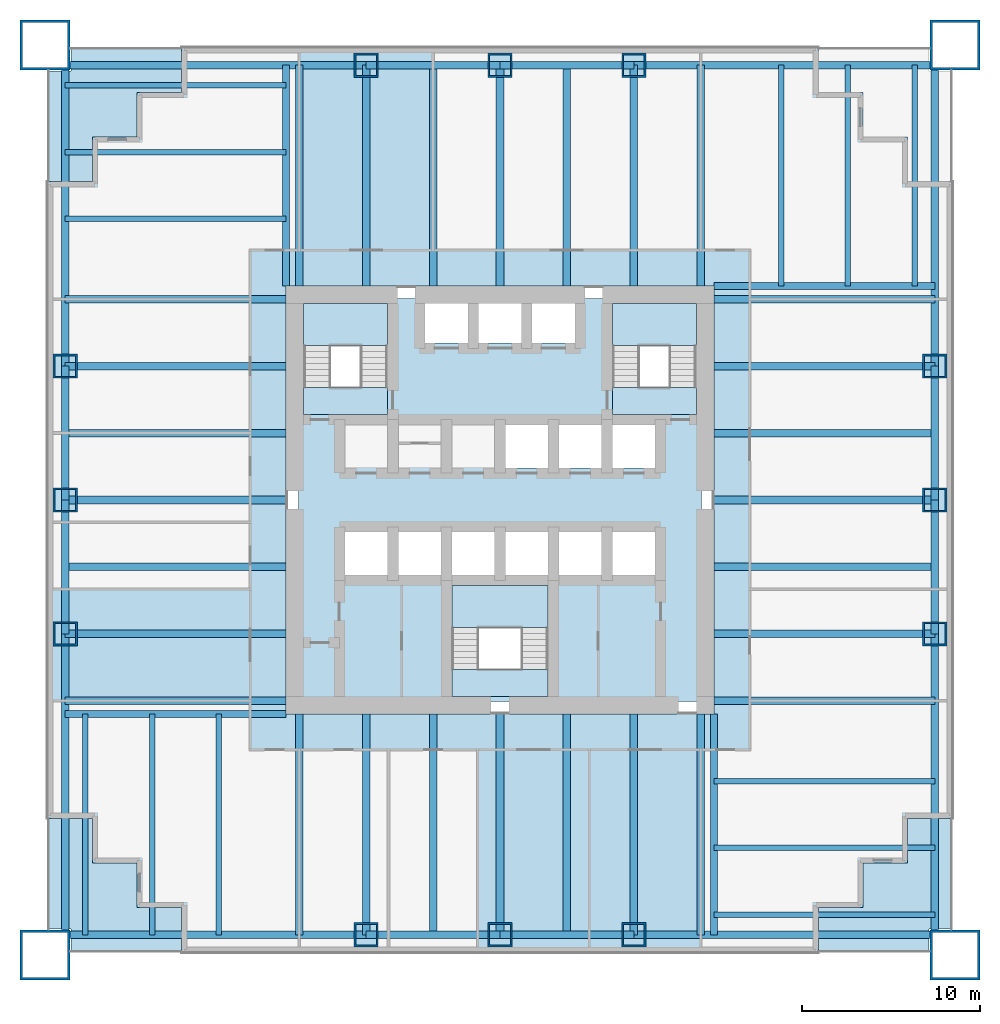
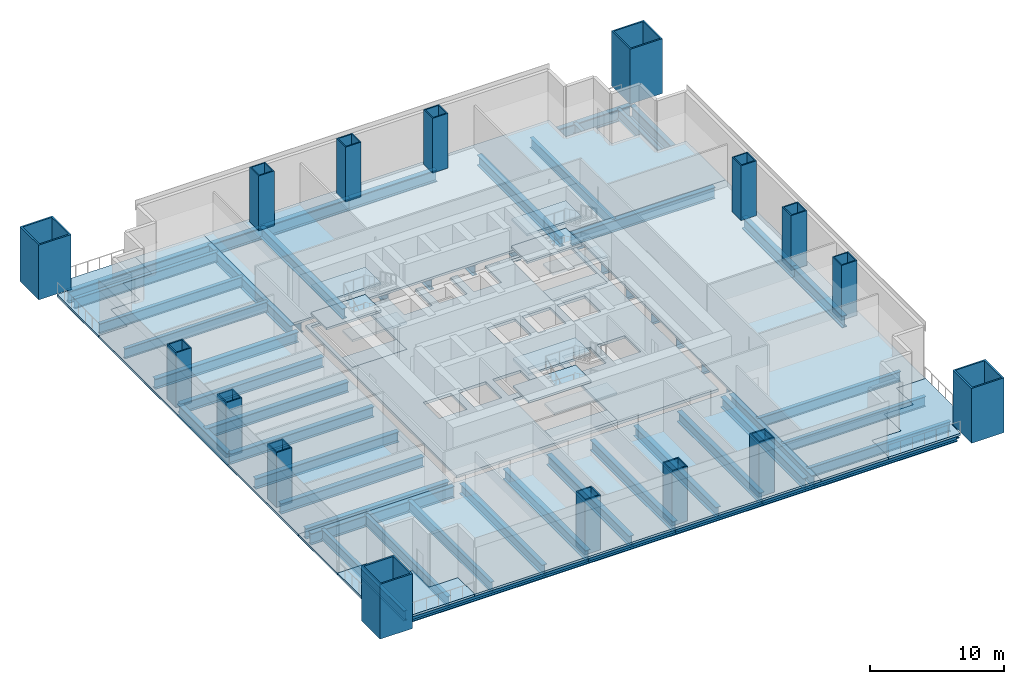
# One storey, part 1 of 6: 60 beams, 20 slabs, 16 columns, 3 elements without a shape of their own.
"""IFC4 building model written with IfcOpenShell, lengths in metres."""

from ifc_helpers import new_model, si_unit, direction, frame, origin, origin_2d, place, context, subcontext, project, spatial, polyline, hollow_rectangle, i_section, outline, extrude, material, layer, layer_set, material_profile, profile_set, type_object, element, aggregate, save


model = new_model("IFC4")

# Units and contexts
model_context = context("Model", 3, precision=1e-05, world=origin(), true_north=direction((0.0, 1.0)))
body_context = subcontext(model_context, "Body", "Model", "MODEL_VIEW")
ifc_project = project(units=[si_unit("LENGTHUNIT", "METRE"), si_unit("AREAUNIT", "SQUARE_METRE"), si_unit("VOLUMEUNIT", "CUBIC_METRE"), si_unit("PLANEANGLEUNIT", "RADIAN"), si_unit("MASSUNIT", "GRAM", prefix="KILO")], contexts=[model_context])

# Site, building, storey
site_placement = place(None, origin())
site = spatial("IfcSite", under=ifc_project, at=site_placement, CompositionType="ELEMENT")
building_placement = place(site_placement, origin())
building = spatial("IfcBuilding", under=site, at=building_placement, Name="Tarangal Relay Tower", CompositionType="ELEMENT")
storey_placement = place(building_placement, frame((0.0, 0.0, 93.39990234375)))
storey = spatial("IfcBuildingStorey", under=building, at=storey_placement, Name="L18", CompositionType="ELEMENT", Elevation=93.39990234375)

# Columns
ifc_material_1 = material(Name="Steel ASTM A572 Grade 42", Category="steel")
ifc_material_profile_1 = material_profile(ifc_material_1, hollow_rectangle(XDim=2.800048828125, YDim=2.800048828125, WallThickness=0.139892578125, at=origin_2d()), Name="BOX2800X2800X140")
ifc_profile_set_1 = profile_set([ifc_material_profile_1], Name="Steel ASTM A572 Grade 42")
column_type_1 = type_object("IfcColumnType", Name="Mega column BOX2800X2800X140", PredefinedType="COLUMN", material=ifc_profile_set_1)
for number, where, z_axis, x_axis, name in (
    (1, (25.5, 25.5, 0.0), (0.0, 0.0, 1.0), (1.0, 0.0, 0.0), "Mega column MC1 NE L18"),
    (2, (25.5, -25.5, 0.0), (0.0, 0.0, 1.0), (1.0, 0.0, 0.0), "Mega column MC1 SE L18"),
    (3, (-25.5, -25.5, 0.0), (0.0, 0.0, 1.0), (1.0, 0.0, 0.0), "Mega column MC1 SW L18"),
    (4, (-25.5, 25.5, 0.0), (0.0, 0.0, 1.0), (1.0, 0.0, 0.0), "Mega column MC1 NW L18"),
):
    element("IfcColumn", number, at=place(storey_placement, frame(where, z_axis=z_axis, x_axis=x_axis)), inside=storey, type_object=column_type_1, Name=name, PredefinedType="COLUMN", context=body_context, shape_type="SweptSolid", body=[
        extrude(hollow_rectangle(XDim=2.800048828125, YDim=2.800048828125, WallThickness=0.139892578125, at=origin_2d()), origin(), (0.0, 0.0, 1.0), 5.0),
    ])
ifc_material_2 = material(Name="Steel ASTM A572 Grade 50", Category="steel")
ifc_material_profile_2 = material_profile(ifc_material_2, hollow_rectangle(XDim=1.35009765625, YDim=1.35009765625, WallThickness=0.10009765625, at=origin_2d()), Name="BOX1350X1350X100")
ifc_profile_set_2 = profile_set([ifc_material_profile_2], Name="Steel ASTM A572 Grade 50")
column_type_2 = type_object("IfcColumnType", Name="Perimeter column BOX1350X1350X100", PredefinedType="COLUMN", material=ifc_profile_set_2)
for number, where, z_axis, x_axis, name in (
    (5, (-7.5, 24.364990234375, 0.0), (0.0, 0.0, 1.0), (1.0, 0.0, 0.0), "Perimeter column PC1 N L18"),
    (6, (0.0, 24.364990234375, 0.0), (0.0, 0.0, 1.0), (1.0, 0.0, 0.0), "Perimeter column PC1 N L18"),
    (7, (7.5, 24.364990234375, 0.0), (0.0, 0.0, 1.0), (1.0, 0.0, 0.0), "Perimeter column PC1 N L18"),
    (8, (24.364990234375, 7.5, 0.0), (0.0, 0.0, 1.0), (1.0, 0.0, 0.0), "Perimeter column PC1 E L18"),
    (9, (24.364990234375, 0.0, 0.0), (0.0, 0.0, 1.0), (1.0, 0.0, 0.0), "Perimeter column PC1 E L18"),
    (10, (24.364990234375, -7.5, 0.0), (0.0, 0.0, 1.0), (1.0, 0.0, 0.0), "Perimeter column PC1 E L18"),
    (11, (7.5, -24.364990234375, 0.0), (0.0, 0.0, 1.0), (1.0, 0.0, 0.0), "Perimeter column PC1 S L18"),
    (12, (0.0, -24.364990234375, 0.0), (0.0, 0.0, 1.0), (1.0, 0.0, 0.0), "Perimeter column PC1 S L18"),
    (13, (-7.5, -24.364990234375, 0.0), (0.0, 0.0, 1.0), (1.0, 0.0, 0.0), "Perimeter column PC1 S L18"),
    (14, (-24.364990234375, -7.5, 0.0), (0.0, 0.0, 1.0), (1.0, 0.0, 0.0), "Perimeter column PC1 W L18"),
    (15, (-24.364990234375, 0.0, 0.0), (0.0, 0.0, 1.0), (1.0, 0.0, 0.0), "Perimeter column PC1 W L18"),
    (16, (-24.364990234375, 7.5, 0.0), (0.0, 0.0, 1.0), (1.0, 0.0, 0.0), "Perimeter column PC1 W L18"),
):
    element("IfcColumn", number, at=place(storey_placement, frame(where, z_axis=z_axis, x_axis=x_axis)), inside=storey, type_object=column_type_2, Name=name, PredefinedType="COLUMN", context=body_context, shape_type="SweptSolid", body=[
        extrude(hollow_rectangle(XDim=1.35009765625, YDim=1.35009765625, WallThickness=0.10009765625, at=origin_2d()), origin(), (0.0, 0.0, 1.0), 5.0),
    ])

# Beams
ifc_material_3 = material(Name="Steel ASTM A992", Category="steel")
ifc_material_profile_3 = material_profile(ifc_material_3, i_section(OverallWidth=0.307373046875, OverallDepth=0.927001953125, WebThickness=0.019287109375, FlangeThickness=0.031982421875, at=origin_2d()), Name="W36X194")
ifc_profile_set_3 = profile_set([ifc_material_profile_3], Name="Steel ASTM A992")
beam_type_1 = type_object("IfcBeamType", Name="Corner beam W36X194", PredefinedType="JOIST", material=ifc_profile_set_3)
for number, where, z_axis, x_axis, name in (
    (17, (15.75, 12.0, -0.663330078125), (0.0, 1.0, 0.0), (-1.0, 0.0, 0.0), "Corner beam CB10 N L18"),
    (18, (19.5, 12.0, -0.663330078125), (0.0, 1.0, 0.0), (-1.0, 0.0, 0.0), "Corner beam CB10 N L18"),
    (19, (23.25, 12.0, -0.663330078125), (0.0, 1.0, 0.0), (-1.0, 0.0, 0.0), "Corner beam CB10 N L18"),
    (20, (12.0, -15.75, -0.663330078125), (1.0, 0.0, 0.0), (0.0, 1.0, 0.0), "Corner beam CB10 E L18"),
    (21, (12.0, -19.5, -0.663330078125), (1.0, 0.0, 0.0), (0.0, 1.0, 0.0), "Corner beam CB10 E L18"),
    (22, (12.0, -23.25, -0.663330078125), (1.0, 0.0, 0.0), (0.0, 1.0, 0.0), "Corner beam CB10 E L18"),
    (23, (-15.75, -12.0, -0.663330078125), (0.0, -1.0, 0.0), (1.0, 0.0, 0.0), "Corner beam CB10 S L18"),
    (24, (-19.5, -12.0, -0.663330078125), (0.0, -1.0, 0.0), (1.0, 0.0, 0.0), "Corner beam CB10 S L18"),
    (25, (-23.25, -12.0, -0.663330078125), (0.0, -1.0, 0.0), (1.0, 0.0, 0.0), "Corner beam CB10 S L18"),
    (26, (-12.0, 15.75, -0.663330078125), (-1.0, 0.0, 0.0), (0.0, -1.0, 0.0), "Corner beam CB10 W L18"),
    (27, (-12.0, 19.5, -0.663330078125), (-1.0, 0.0, 0.0), (0.0, -1.0, 0.0), "Corner beam CB10 W L18"),
    (28, (-12.0, 23.25, -0.663330078125), (-1.0, 0.0, 0.0), (0.0, -1.0, 0.0), "Corner beam CB10 W L18"),
):
    element("IfcBeam", number, at=place(storey_placement, frame(where, z_axis=z_axis, x_axis=x_axis)), inside=storey, type_object=beam_type_1, Name=name, PredefinedType="JOIST", context=body_context, shape_type="SweptSolid", body=[
        extrude(i_section(OverallWidth=0.307373046875, OverallDepth=0.927001953125, WebThickness=0.019287109375, FlangeThickness=0.031982421875, at=origin_2d()), origin(), (0.0, 0.0, 1.0), 12.364990234375),
    ])
ifc_material_profile_4 = material_profile(ifc_material_3, i_section(OverallWidth=0.40380859375, OverallDepth=1.036376953125, WebThickness=0.031005859375, FlangeThickness=0.0458984375, at=origin_2d()), Name="W40X331")
ifc_profile_set_4 = profile_set([ifc_material_profile_4], Name="Steel ASTM A992")
beam_type_2 = type_object("IfcBeamType", Name="Corner girder W40X331", PredefinedType="BEAM", material=ifc_profile_set_4)
for number, where, z_axis, x_axis, name in (
    (29, (12.0, 12.0, -0.718017578125), (1.0, 0.0, 0.0), (0.0, 1.0, 0.0), "Corner girder CG2 N L18"),
    (30, (12.0, -12.0, -0.718017578125), (0.0, -1.0, 0.0), (1.0, 0.0, 0.0), "Corner girder CG2 E L18"),
    (31, (-12.0, -12.0, -0.718017578125), (-1.0, 0.0, 0.0), (0.0, -1.0, 0.0), "Corner girder CG2 S L18"),
    (32, (-12.0, 12.0, -0.718017578125), (0.0, 1.0, 0.0), (-1.0, 0.0, 0.0), "Corner girder CG2 W L18"),
):
    element("IfcBeam", number, at=place(storey_placement, frame(where, z_axis=z_axis, x_axis=x_axis)), inside=storey, type_object=beam_type_2, Name=name, PredefinedType="BEAM", context=body_context, shape_type="SweptSolid", body=[
        extrude(i_section(OverallWidth=0.40380859375, OverallDepth=1.036376953125, WebThickness=0.031005859375, FlangeThickness=0.0458984375, at=origin_2d()), origin(), (0.0, 0.0, 1.0), 12.364990234375),
    ])
ifc_material_profile_5 = material_profile(ifc_material_3, i_section(OverallWidth=0.42431640625, OverallDepth=1.09228515625, WebThickness=0.04541015625, FlangeThickness=0.08203125, at=origin_2d()), Name="W40X593")
ifc_profile_set_5 = profile_set([ifc_material_profile_5], Name="Steel ASTM A992")
beam_type_3 = type_object("IfcBeamType", Name="Edge girder W40X593", PredefinedType="SPANDREL", material=ifc_profile_set_5)
beam_1_placement = place(storey_placement, frame((-24.25, 24.364990234375, -0.74609375), z_axis=(1.0, 0.0, 0.0), x_axis=(0.0, 1.0, 0.0)))
element("IfcBeam", 33, at=beam_1_placement, inside=storey, type_object=beam_type_3, Name="Edge girder EG9 N L18", PredefinedType="SPANDREL", context=body_context, shape_type="SweptSolid", body=[
    extrude(i_section(OverallWidth=0.42431640625, OverallDepth=1.09228515625, WebThickness=0.04541015625, FlangeThickness=0.08203125, at=origin_2d()), origin(), (0.0, 0.0, 1.0), 16.75),
])
for number, where, z_axis, x_axis, name in (
    (34, (-7.5, 24.364990234375, -0.74609375), (1.0, 0.0, 0.0), (0.0, 1.0, 0.0), "Edge girder EG9 N L18"),
    (35, (0.0, 24.364990234375, -0.74609375), (1.0, 0.0, 0.0), (0.0, 1.0, 0.0), "Edge girder EG9 N L18"),
):
    element("IfcBeam", number, at=place(storey_placement, frame(where, z_axis=z_axis, x_axis=x_axis)), inside=storey, type_object=beam_type_3, Name=name, PredefinedType="SPANDREL", context=body_context, shape_type="SweptSolid", body=[
        extrude(i_section(OverallWidth=0.42431640625, OverallDepth=1.09228515625, WebThickness=0.04541015625, FlangeThickness=0.08203125, at=origin_2d()), origin(), (0.0, 0.0, 1.0), 7.5),
    ])
for number, where, z_axis, x_axis, name in (
    (36, (7.5, 24.364990234375, -0.74609375), (1.0, 0.0, 0.0), (0.0, 1.0, 0.0), "Edge girder EG9 N L18"),
    (37, (24.364990234375, 24.25, -0.74609375), (0.0, -1.0, 0.0), (1.0, 0.0, 0.0), "Edge girder EG9 E L18"),
):
    element("IfcBeam", number, at=place(storey_placement, frame(where, z_axis=z_axis, x_axis=x_axis)), inside=storey, type_object=beam_type_3, Name=name, PredefinedType="SPANDREL", context=body_context, shape_type="SweptSolid", body=[
        extrude(i_section(OverallWidth=0.42431640625, OverallDepth=1.09228515625, WebThickness=0.04541015625, FlangeThickness=0.08203125, at=origin_2d()), origin(), (0.0, 0.0, 1.0), 16.75),
    ])
for number, where, z_axis, x_axis, name in (
    (38, (24.364990234375, 7.5, -0.74609375), (0.0, -1.0, 0.0), (1.0, 0.0, 0.0), "Edge girder EG9 E L18"),
    (39, (24.364990234375, 0.0, -0.74609375), (0.0, -1.0, 0.0), (1.0, 0.0, 0.0), "Edge girder EG9 E L18"),
):
    element("IfcBeam", number, at=place(storey_placement, frame(where, z_axis=z_axis, x_axis=x_axis)), inside=storey, type_object=beam_type_3, Name=name, PredefinedType="SPANDREL", context=body_context, shape_type="SweptSolid", body=[
        extrude(i_section(OverallWidth=0.42431640625, OverallDepth=1.09228515625, WebThickness=0.04541015625, FlangeThickness=0.08203125, at=origin_2d()), origin(), (0.0, 0.0, 1.0), 7.5),
    ])
for number, where, z_axis, x_axis, name in (
    (40, (24.364990234375, -7.5, -0.74609375), (0.0, -1.0, 0.0), (1.0, 0.0, 0.0), "Edge girder EG9 E L18"),
    (41, (24.25, -24.364990234375, -0.74609375), (-1.0, 0.0, 0.0), (0.0, -1.0, 0.0), "Edge girder EG9 S L18"),
):
    element("IfcBeam", number, at=place(storey_placement, frame(where, z_axis=z_axis, x_axis=x_axis)), inside=storey, type_object=beam_type_3, Name=name, PredefinedType="SPANDREL", context=body_context, shape_type="SweptSolid", body=[
        extrude(i_section(OverallWidth=0.42431640625, OverallDepth=1.09228515625, WebThickness=0.04541015625, FlangeThickness=0.08203125, at=origin_2d()), origin(), (0.0, 0.0, 1.0), 16.75),
    ])
for number, where, z_axis, x_axis, name in (
    (42, (7.5, -24.364990234375, -0.74609375), (-1.0, 0.0, 0.0), (0.0, -1.0, 0.0), "Edge girder EG9 S L18"),
    (43, (0.0, -24.364990234375, -0.74609375), (-1.0, 0.0, 0.0), (0.0, -1.0, 0.0), "Edge girder EG9 S L18"),
):
    element("IfcBeam", number, at=place(storey_placement, frame(where, z_axis=z_axis, x_axis=x_axis)), inside=storey, type_object=beam_type_3, Name=name, PredefinedType="SPANDREL", context=body_context, shape_type="SweptSolid", body=[
        extrude(i_section(OverallWidth=0.42431640625, OverallDepth=1.09228515625, WebThickness=0.04541015625, FlangeThickness=0.08203125, at=origin_2d()), origin(), (0.0, 0.0, 1.0), 7.5),
    ])
for number, where, z_axis, x_axis, name in (
    (44, (-7.5, -24.364990234375, -0.74609375), (-1.0, 0.0, 0.0), (0.0, -1.0, 0.0), "Edge girder EG9 S L18"),
    (45, (-24.364990234375, -24.25, -0.74609375), (0.0, 1.0, 0.0), (-1.0, 0.0, 0.0), "Edge girder EG9 W L18"),
):
    element("IfcBeam", number, at=place(storey_placement, frame(where, z_axis=z_axis, x_axis=x_axis)), inside=storey, type_object=beam_type_3, Name=name, PredefinedType="SPANDREL", context=body_context, shape_type="SweptSolid", body=[
        extrude(i_section(OverallWidth=0.42431640625, OverallDepth=1.09228515625, WebThickness=0.04541015625, FlangeThickness=0.08203125, at=origin_2d()), origin(), (0.0, 0.0, 1.0), 16.75),
    ])
for number, where, z_axis, x_axis, name in (
    (46, (-24.364990234375, -7.5, -0.74609375), (0.0, 1.0, 0.0), (-1.0, 0.0, 0.0), "Edge girder EG9 W L18"),
    (47, (-24.364990234375, 0.0, -0.74609375), (0.0, 1.0, 0.0), (-1.0, 0.0, 0.0), "Edge girder EG9 W L18"),
):
    element("IfcBeam", number, at=place(storey_placement, frame(where, z_axis=z_axis, x_axis=x_axis)), inside=storey, type_object=beam_type_3, Name=name, PredefinedType="SPANDREL", context=body_context, shape_type="SweptSolid", body=[
        extrude(i_section(OverallWidth=0.42431640625, OverallDepth=1.09228515625, WebThickness=0.04541015625, FlangeThickness=0.08203125, at=origin_2d()), origin(), (0.0, 0.0, 1.0), 7.5),
    ])
beam_2_placement = place(storey_placement, frame((-24.364990234375, 7.5, -0.74609375), z_axis=(0.0, 1.0, 0.0), x_axis=(-1.0, 0.0, 0.0)))
element("IfcBeam", 48, at=beam_2_placement, inside=storey, type_object=beam_type_3, Name="Edge girder EG9 W L18", PredefinedType="SPANDREL", context=body_context, shape_type="SweptSolid", body=[
    extrude(i_section(OverallWidth=0.42431640625, OverallDepth=1.09228515625, WebThickness=0.04541015625, FlangeThickness=0.08203125, at=origin_2d()), origin(), (0.0, 0.0, 1.0), 16.75),
])
ifc_material_profile_6 = material_profile(ifc_material_3, i_section(OverallWidth=0.42431640625, OverallDepth=0.947509765625, WebThickness=0.02392578125, FlangeThickness=0.042724609375, at=origin_2d()), Name="W36X302")
ifc_profile_set_6 = profile_set([ifc_material_profile_6], Name="Steel ASTM A992")
beam_type_4 = type_object("IfcBeamType", Name="Floor beam W36X302", PredefinedType="BEAM", material=ifc_profile_set_6)
for number, where, z_axis, x_axis, name in (
    (49, (-11.25, 12.0, -0.673583984375), (0.0, 1.0, 0.0), (-1.0, 0.0, 0.0), "Floor beam RB10 N L18"),
    (50, (-7.5, 12.0, -0.673583984375), (0.0, 1.0, 0.0), (-1.0, 0.0, 0.0), "Floor beam RB10 N L18"),
    (51, (-3.75, 12.0, -0.673583984375), (0.0, 1.0, 0.0), (-1.0, 0.0, 0.0), "Floor beam RB10 N L18"),
    (52, (0.0, 12.0, -0.673583984375), (0.0, 1.0, 0.0), (-1.0, 0.0, 0.0), "Floor beam RB10 N L18"),
    (53, (3.75, 12.0, -0.673583984375), (0.0, 1.0, 0.0), (-1.0, 0.0, 0.0), "Floor beam RB10 N L18"),
    (54, (7.5, 12.0, -0.673583984375), (0.0, 1.0, 0.0), (-1.0, 0.0, 0.0), "Floor beam RB10 N L18"),
    (55, (11.25, 12.0, -0.673583984375), (0.0, 1.0, 0.0), (-1.0, 0.0, 0.0), "Floor beam RB10 N L18"),
    (56, (12.0, 11.25, -0.673583984375), (1.0, 0.0, 0.0), (0.0, 1.0, 0.0), "Floor beam RB10 E L18"),
    (57, (12.0, 7.5, -0.673583984375), (1.0, 0.0, 0.0), (0.0, 1.0, 0.0), "Floor beam RB10 E L18"),
    (58, (12.0, 3.75, -0.673583984375), (1.0, 0.0, 0.0), (0.0, 1.0, 0.0), "Floor beam RB10 E L18"),
    (59, (12.0, 0.0, -0.673583984375), (1.0, 0.0, 0.0), (0.0, 1.0, 0.0), "Floor beam RB10 E L18"),
    (60, (12.0, -3.75, -0.673583984375), (1.0, 0.0, 0.0), (0.0, 1.0, 0.0), "Floor beam RB10 E L18"),
    (61, (12.0, -7.5, -0.673583984375), (1.0, 0.0, 0.0), (0.0, 1.0, 0.0), "Floor beam RB10 E L18"),
    (62, (12.0, -11.25, -0.673583984375), (1.0, 0.0, 0.0), (0.0, 1.0, 0.0), "Floor beam RB10 E L18"),
    (63, (11.25, -12.0, -0.673583984375), (0.0, -1.0, 0.0), (1.0, 0.0, 0.0), "Floor beam RB10 S L18"),
    (64, (7.5, -12.0, -0.673583984375), (0.0, -1.0, 0.0), (1.0, 0.0, 0.0), "Floor beam RB10 S L18"),
    (65, (3.75, -12.0, -0.673583984375), (0.0, -1.0, 0.0), (1.0, 0.0, 0.0), "Floor beam RB10 S L18"),
    (66, (0.0, -12.0, -0.673583984375), (0.0, -1.0, 0.0), (1.0, 0.0, 0.0), "Floor beam RB10 S L18"),
    (67, (-3.75, -12.0, -0.673583984375), (0.0, -1.0, 0.0), (1.0, 0.0, 0.0), "Floor beam RB10 S L18"),
    (68, (-7.5, -12.0, -0.673583984375), (0.0, -1.0, 0.0), (1.0, 0.0, 0.0), "Floor beam RB10 S L18"),
    (69, (-11.25, -12.0, -0.673583984375), (0.0, -1.0, 0.0), (1.0, 0.0, 0.0), "Floor beam RB10 S L18"),
    (70, (-12.0, -11.25, -0.673583984375), (-1.0, 0.0, 0.0), (0.0, -1.0, 0.0), "Floor beam RB10 W L18"),
    (71, (-12.0, -7.5, -0.673583984375), (-1.0, 0.0, 0.0), (0.0, -1.0, 0.0), "Floor beam RB10 W L18"),
    (72, (-12.0, -3.75, -0.673583984375), (-1.0, 0.0, 0.0), (0.0, -1.0, 0.0), "Floor beam RB10 W L18"),
    (73, (-12.0, 0.0, -0.673583984375), (-1.0, 0.0, 0.0), (0.0, -1.0, 0.0), "Floor beam RB10 W L18"),
    (74, (-12.0, 3.75, -0.673583984375), (-1.0, 0.0, 0.0), (0.0, -1.0, 0.0), "Floor beam RB10 W L18"),
    (75, (-12.0, 7.5, -0.673583984375), (-1.0, 0.0, 0.0), (0.0, -1.0, 0.0), "Floor beam RB10 W L18"),
    (76, (-12.0, 11.25, -0.673583984375), (-1.0, 0.0, 0.0), (0.0, -1.0, 0.0), "Floor beam RB10 W L18"),
):
    element("IfcBeam", number, at=place(storey_placement, frame(where, z_axis=z_axis, x_axis=x_axis)), inside=storey, type_object=beam_type_4, Name=name, PredefinedType="BEAM", context=body_context, shape_type="SweptSolid", body=[
        extrude(i_section(OverallWidth=0.42431640625, OverallDepth=0.947509765625, WebThickness=0.02392578125, FlangeThickness=0.042724609375, at=origin_2d()), origin(), (0.0, 0.0, 1.0), 12.364990234375),
    ])

# Slabs
ifc_material_4 = material(Name="Concrete fc' 35 MPa", Category="concrete")
ifc_layer_1 = layer(ifc_material_4, 0.25)
ifc_layer_set_1 = layer_set([ifc_layer_1], Name="Core floor slab 250")
slab_type_1 = type_object("IfcSlabType", Name="Core floor slab 250", PredefinedType="FLOOR", material=ifc_layer_set_1)
slab_1_placement = place(storey_placement, frame((0.0, 0.0, -0.25)))
element("IfcSlab", 77, at=slab_1_placement, inside=storey, type_object=slab_type_1, Name="Core floor slab L18", PredefinedType="FLOOR", context=body_context, shape_type="SweptSolid", body=[
    extrude(outline(polyline([(11.300048828125, 11.300048828125), (11.300048828125, -11.300048828125), (-11.300048828125, -11.300048828125), (-11.300048828125, 11.300048828125), (-4.199951171875, 11.300048828125), (-4.199951171875, 8.800048828125), (-1.800048828125, 8.800048828125), (-1.800048828125, 11.300048828125), (-1.199951171875, 11.300048828125), (-1.199951171875, 8.800048828125), (1.199951171875, 8.800048828125), (1.199951171875, 11.300048828125), (1.800048828125, 11.300048828125), (1.800048828125, 8.800048828125), (4.199951171875, 8.800048828125), (4.199951171875, 11.300048828125), (11.300048828125, 11.300048828125)]), holes=[polyline([(2.699951171875, -4.800048828125), (-2.699951171875, -4.800048828125), (-2.699951171875, -11.0), (2.699951171875, -11.0), (2.699951171875, -4.800048828125)]), polyline([(-6.300048828125, -4.199951171875), (-6.300048828125, -1.800048828125), (-8.699951171875, -1.800048828125), (-8.699951171875, -4.199951171875), (-6.300048828125, -4.199951171875)]), polyline([(-3.300048828125, -4.199951171875), (-3.300048828125, -1.800048828125), (-5.699951171875, -1.800048828125), (-5.699951171875, -4.199951171875), (-3.300048828125, -4.199951171875)]), polyline([(-0.300048828125, -4.199951171875), (-0.300048828125, -1.800048828125), (-2.699951171875, -1.800048828125), (-2.699951171875, -4.199951171875), (-0.300048828125, -4.199951171875)]), polyline([(2.699951171875, 1.800048828125), (2.699951171875, 4.199951171875), (0.300048828125, 4.199951171875), (0.300048828125, 1.800048828125), (2.699951171875, 1.800048828125)]), polyline([(-6.300048828125, 4.800048828125), (-6.300048828125, 11.0), (-11.0, 11.0), (-11.0, 4.800048828125), (-6.300048828125, 4.800048828125)]), polyline([(2.699951171875, -4.199951171875), (2.699951171875, -1.800048828125), (0.300048828125, -1.800048828125), (0.300048828125, -4.199951171875), (2.699951171875, -4.199951171875)]), polyline([(5.699951171875, -4.199951171875), (5.699951171875, -1.800048828125), (3.300048828125, -1.800048828125), (3.300048828125, -4.199951171875), (5.699951171875, -4.199951171875)]), polyline([(8.699951171875, -4.199951171875), (8.699951171875, -1.800048828125), (6.300048828125, -1.800048828125), (6.300048828125, -4.199951171875), (8.699951171875, -4.199951171875)]), polyline([(5.699951171875, 1.800048828125), (5.699951171875, 4.199951171875), (3.300048828125, 4.199951171875), (3.300048828125, 1.800048828125), (5.699951171875, 1.800048828125)]), polyline([(8.699951171875, 1.800048828125), (8.699951171875, 4.199951171875), (6.300048828125, 4.199951171875), (6.300048828125, 1.800048828125), (8.699951171875, 1.800048828125)]), polyline([(11.0, 4.800048828125), (11.0, 11.0), (6.300048828125, 11.0), (6.300048828125, 4.800048828125), (11.0, 4.800048828125)])]), origin(), (0.0, 0.0, 1.0), 0.25),
])
ifc_layer_2 = layer(ifc_material_4, 0.199951171875)
ifc_layer_set_2 = layer_set([ifc_layer_2], Name="Floor slab 200")
slab_type_2 = type_object("IfcSlabType", Name="Floor slab 200", PredefinedType="FLOOR", material=ifc_layer_set_2)
slab_2_placement = place(storey_placement, frame((0.0, 0.0, -0.199951171875)))
element("IfcSlab", 78, at=slab_2_placement, inside=storey, type_object=slab_type_2, Name="Floor slab FS2 L18 north bay", PredefinedType="FLOOR", context=body_context, shape_type="SweptSolid", body=[
    extrude(outline(polyline([(17.85009765625, 25.35009765625), (17.85009765625, 22.85009765625), (20.35009765625, 22.85009765625), (20.35009765625, 20.35009765625), (22.85009765625, 20.35009765625), (22.85009765625, 17.85009765625), (25.35009765625, 17.85009765625), (25.35009765625, 12.0), (-12.0, 12.0), (-12.0, 25.35009765625), (17.85009765625, 25.35009765625)])), origin(), (0.0, 0.0, 1.0), 0.199951171875),
])
slab_3_placement = place(storey_placement, frame((0.0, 0.0, -0.199951171875)))
element("IfcSlab", 79, at=slab_3_placement, inside=storey, type_object=slab_type_2, Name="Floor slab FS2 L18 east bay", PredefinedType="FLOOR", context=body_context, shape_type="SweptSolid", body=[
    extrude(outline(polyline([(25.35009765625, -17.85009765625), (22.85009765625, -17.85009765625), (22.85009765625, -20.35009765625), (20.35009765625, -20.35009765625), (20.35009765625, -22.85009765625), (17.85009765625, -22.85009765625), (17.85009765625, -25.35009765625), (12.0, -25.35009765625), (12.0, 12.0), (25.35009765625, 12.0), (25.35009765625, -17.85009765625)])), origin(), (0.0, 0.0, 1.0), 0.199951171875),
])
slab_4_placement = place(storey_placement, frame((0.0, 0.0, -0.199951171875)))
element("IfcSlab", 80, at=slab_4_placement, inside=storey, type_object=slab_type_2, Name="Floor slab FS2 L18 south bay", PredefinedType="FLOOR", context=body_context, shape_type="SweptSolid", body=[
    extrude(outline(polyline([(-17.85009765625, -25.35009765625), (-17.85009765625, -22.85009765625), (-20.35009765625, -22.85009765625), (-20.35009765625, -20.35009765625), (-22.85009765625, -20.35009765625), (-22.85009765625, -17.85009765625), (-25.35009765625, -17.85009765625), (-25.35009765625, -12.0), (12.0, -12.0), (12.0, -25.35009765625), (-17.85009765625, -25.35009765625)])), origin(), (0.0, 0.0, 1.0), 0.199951171875),
])
slab_5_placement = place(storey_placement, frame((0.0, 0.0, -0.199951171875)))
element("IfcSlab", 81, at=slab_5_placement, inside=storey, type_object=slab_type_2, Name="Floor slab FS2 L18 west bay", PredefinedType="FLOOR", context=body_context, shape_type="SweptSolid", body=[
    extrude(outline(polyline([(-12.0, 25.35009765625), (-12.0, -12.0), (-25.35009765625, -12.0), (-25.35009765625, 17.85009765625), (-22.85009765625, 17.85009765625), (-22.85009765625, 20.35009765625), (-20.35009765625, 20.35009765625), (-20.35009765625, 22.85009765625), (-17.85009765625, 22.85009765625), (-17.85009765625, 25.35009765625), (-12.0, 25.35009765625)])), origin(), (0.0, 0.0, 1.0), 0.199951171875),
])

# Stair, slabs
ifc_material_5 = material(Name="Steel ASTM A992 stair flight", Category="steel")
stair_type = type_object("IfcStairType", Name="Core stair 1500", PredefinedType="HALF_TURN_STAIR", material=ifc_material_5)
stair_1_placement = place(storey_placement, origin())
stair_1 = element("IfcStair", 82, at=stair_1_placement, inside=storey, type_object=stair_type, Name="Stair ST-A L18", PredefinedType="HALF_TURN_STAIR")
ifc_layer_3 = layer(ifc_material_4, 0.199951171875)
ifc_layer_set_3 = layer_set([ifc_layer_3], Name="Stair landing 200")
slab_type_3 = type_object("IfcSlabType", Name="Stair landing 200", PredefinedType="LANDING", material=ifc_layer_set_3)
slab_6_placement = place(storey_placement, frame((0.0, 0.0, -0.199951171875)))
slab_6 = element("IfcSlab", 83, at=slab_6_placement, type_object=slab_type_3, Name="ST-A landing 1", PredefinedType="LANDING", context=body_context, shape_type="SweptSolid", body=[
    extrude(outline(polyline([(-11.0, 4.800048828125), (-6.300048828125, 4.800048828125), (-6.300048828125, 6.300048828125), (-11.0, 6.300048828125), (-11.0, 4.800048828125)])), origin(), (0.0, 0.0, 1.0), 0.199951171875),
])
slab_7_placement = place(storey_placement, frame((0.0, 0.0, 1.050048828125)))
slab_7 = element("IfcSlab", 84, at=slab_7_placement, type_object=slab_type_3, Name="ST-A landing 2", PredefinedType="LANDING", context=body_context, shape_type="SweptSolid", body=[
    extrude(outline(polyline([(-11.0, 8.64501953125), (-6.300048828125, 8.64501953125), (-6.300048828125, 11.0), (-11.0, 11.0), (-11.0, 8.64501953125)])), origin(), (0.0, 0.0, 1.0), 0.199951171875),
])
slab_8_placement = place(storey_placement, frame((0.0, 0.0, 2.300048828125)))
slab_8 = element("IfcSlab", 85, at=slab_8_placement, type_object=slab_type_3, Name="ST-A landing 3", PredefinedType="LANDING", context=body_context, shape_type="SweptSolid", body=[
    extrude(outline(polyline([(-11.0, 4.800048828125), (-6.300048828125, 4.800048828125), (-6.300048828125, 6.300048828125), (-11.0, 6.300048828125), (-11.0, 4.800048828125)])), origin(), (0.0, 0.0, 1.0), 0.199951171875),
])
slab_9_placement = place(storey_placement, frame((0.0, 0.0, 3.550048828125)))
slab_9 = element("IfcSlab", 86, at=slab_9_placement, type_object=slab_type_3, Name="ST-A landing 4", PredefinedType="LANDING", context=body_context, shape_type="SweptSolid", body=[
    extrude(outline(polyline([(-11.0, 8.64501953125), (-6.300048828125, 8.64501953125), (-6.300048828125, 11.0), (-11.0, 11.0), (-11.0, 8.64501953125)])), origin(), (0.0, 0.0, 1.0), 0.199951171875),
])
aggregate(stair_1, [slab_6, slab_7, slab_8, slab_9])

stair_2_placement = place(storey_placement, origin())
stair_2 = element("IfcStair", 87, at=stair_2_placement, inside=storey, type_object=stair_type, Name="Stair ST-B L18", PredefinedType="HALF_TURN_STAIR")
slab_10_placement = place(storey_placement, frame((0.0, 0.0, -0.199951171875)))
slab_10 = element("IfcSlab", 88, at=slab_10_placement, type_object=slab_type_3, Name="ST-B landing 1", PredefinedType="LANDING", context=body_context, shape_type="SweptSolid", body=[
    extrude(outline(polyline([(6.300048828125, 4.800048828125), (11.0, 4.800048828125), (11.0, 6.300048828125), (6.300048828125, 6.300048828125), (6.300048828125, 4.800048828125)])), origin(), (0.0, 0.0, 1.0), 0.199951171875),
])
slab_11_placement = place(storey_placement, frame((0.0, 0.0, 1.050048828125)))
slab_11 = element("IfcSlab", 89, at=slab_11_placement, type_object=slab_type_3, Name="ST-B landing 2", PredefinedType="LANDING", context=body_context, shape_type="SweptSolid", body=[
    extrude(outline(polyline([(6.300048828125, 8.64501953125), (11.0, 8.64501953125), (11.0, 11.0), (6.300048828125, 11.0), (6.300048828125, 8.64501953125)])), origin(), (0.0, 0.0, 1.0), 0.199951171875),
])
slab_12_placement = place(storey_placement, frame((0.0, 0.0, 2.300048828125)))
slab_12 = element("IfcSlab", 90, at=slab_12_placement, type_object=slab_type_3, Name="ST-B landing 3", PredefinedType="LANDING", context=body_context, shape_type="SweptSolid", body=[
    extrude(outline(polyline([(6.300048828125, 4.800048828125), (11.0, 4.800048828125), (11.0, 6.300048828125), (6.300048828125, 6.300048828125), (6.300048828125, 4.800048828125)])), origin(), (0.0, 0.0, 1.0), 0.199951171875),
])
slab_13_placement = place(storey_placement, frame((0.0, 0.0, 3.550048828125)))
slab_13 = element("IfcSlab", 91, at=slab_13_placement, type_object=slab_type_3, Name="ST-B landing 4", PredefinedType="LANDING", context=body_context, shape_type="SweptSolid", body=[
    extrude(outline(polyline([(6.300048828125, 8.64501953125), (11.0, 8.64501953125), (11.0, 11.0), (6.300048828125, 11.0), (6.300048828125, 8.64501953125)])), origin(), (0.0, 0.0, 1.0), 0.199951171875),
])
aggregate(stair_2, [slab_10, slab_11, slab_12, slab_13])

stair_3_placement = place(storey_placement, origin())
stair_3 = element("IfcStair", 92, at=stair_3_placement, inside=storey, type_object=stair_type, Name="Stair ST-C L18", PredefinedType="HALF_TURN_STAIR")
slab_14_placement = place(storey_placement, frame((0.0, 0.0, -0.199951171875)))
slab_14 = element("IfcSlab", 93, at=slab_14_placement, type_object=slab_type_3, Name="ST-C landing 1", PredefinedType="LANDING", context=body_context, shape_type="SweptSolid", body=[
    extrude(outline(polyline([(-2.699951171875, -11.0), (2.699951171875, -11.0), (2.699951171875, -9.5), (-2.699951171875, -9.5), (-2.699951171875, -11.0)])), origin(), (0.0, 0.0, 1.0), 0.199951171875),
])
slab_15_placement = place(storey_placement, frame((0.0, 0.0, 1.050048828125)))
slab_15 = element("IfcSlab", 94, at=slab_15_placement, type_object=slab_type_3, Name="ST-C landing 2", PredefinedType="LANDING", context=body_context, shape_type="SweptSolid", body=[
    extrude(outline(polyline([(-2.699951171875, -7.155029296875), (2.699951171875, -7.155029296875), (2.699951171875, -4.800048828125), (-2.699951171875, -4.800048828125), (-2.699951171875, -7.155029296875)])), origin(), (0.0, 0.0, 1.0), 0.199951171875),
])
slab_16_placement = place(storey_placement, frame((0.0, 0.0, 2.300048828125)))
slab_16 = element("IfcSlab", 95, at=slab_16_placement, type_object=slab_type_3, Name="ST-C landing 3", PredefinedType="LANDING", context=body_context, shape_type="SweptSolid", body=[
    extrude(outline(polyline([(-2.699951171875, -11.0), (2.699951171875, -11.0), (2.699951171875, -9.5), (-2.699951171875, -9.5), (-2.699951171875, -11.0)])), origin(), (0.0, 0.0, 1.0), 0.199951171875),
])
slab_17_placement = place(storey_placement, frame((0.0, 0.0, 3.550048828125)))
slab_17 = element("IfcSlab", 96, at=slab_17_placement, type_object=slab_type_3, Name="ST-C landing 4", PredefinedType="LANDING", context=body_context, shape_type="SweptSolid", body=[
    extrude(outline(polyline([(-2.699951171875, -7.155029296875), (2.699951171875, -7.155029296875), (2.699951171875, -4.800048828125), (-2.699951171875, -4.800048828125), (-2.699951171875, -7.155029296875)])), origin(), (0.0, 0.0, 1.0), 0.199951171875),
])
aggregate(stair_3, [slab_14, slab_15, slab_16, slab_17])

# Slabs
ifc_layer_4 = layer(ifc_material_4, 0.199951171875)
ifc_layer_set_4 = layer_set([ifc_layer_4], Name="Terrace slab 200")
slab_type_4 = type_object("IfcSlabType", Name="Terrace slab 200", PredefinedType="FLOOR", material=ifc_layer_set_4)
slab_18_placement = place(storey_placement, frame((0.0, 0.0, -0.199951171875)))
element("IfcSlab", 97, at=slab_18_placement, inside=storey, type_object=slab_type_4, Name="Corner terrace SE L18", PredefinedType="FLOOR", context=body_context, shape_type="SweptSolid", body=[
    extrude(outline(polyline([(25.35009765625, -17.85009765625), (22.85009765625, -17.85009765625), (22.85009765625, -20.35009765625), (20.35009765625, -20.35009765625), (20.35009765625, -22.85009765625), (17.85009765625, -22.85009765625), (17.85009765625, -25.35009765625), (24.050048828125, -25.35009765625), (24.050048828125, -24.050048828125), (25.35009765625, -24.050048828125), (25.35009765625, -17.85009765625)])), origin(), (0.0, 0.0, 1.0), 0.199951171875),
])
slab_19_placement = place(storey_placement, frame((0.0, 0.0, -0.199951171875)))
element("IfcSlab", 98, at=slab_19_placement, inside=storey, type_object=slab_type_4, Name="Corner terrace SW L18", PredefinedType="FLOOR", context=body_context, shape_type="SweptSolid", body=[
    extrude(outline(polyline([(-17.85009765625, -25.35009765625), (-17.85009765625, -22.85009765625), (-20.35009765625, -22.85009765625), (-20.35009765625, -20.35009765625), (-22.85009765625, -20.35009765625), (-22.85009765625, -17.85009765625), (-25.35009765625, -17.85009765625), (-25.35009765625, -24.050048828125), (-24.050048828125, -24.050048828125), (-24.050048828125, -25.35009765625), (-17.85009765625, -25.35009765625)])), origin(), (0.0, 0.0, 1.0), 0.199951171875),
])
slab_20_placement = place(storey_placement, frame((0.0, 0.0, -0.199951171875)))
element("IfcSlab", 99, at=slab_20_placement, inside=storey, type_object=slab_type_4, Name="Corner terrace NW L18", PredefinedType="FLOOR", context=body_context, shape_type="SweptSolid", body=[
    extrude(outline(polyline([(-25.35009765625, 17.85009765625), (-22.85009765625, 17.85009765625), (-22.85009765625, 20.35009765625), (-20.35009765625, 20.35009765625), (-20.35009765625, 22.85009765625), (-17.85009765625, 22.85009765625), (-17.85009765625, 25.35009765625), (-24.050048828125, 25.35009765625), (-24.050048828125, 24.050048828125), (-25.35009765625, 24.050048828125), (-25.35009765625, 17.85009765625)])), origin(), (0.0, 0.0, 1.0), 0.199951171875),
])

save(model, "model.ifc")
